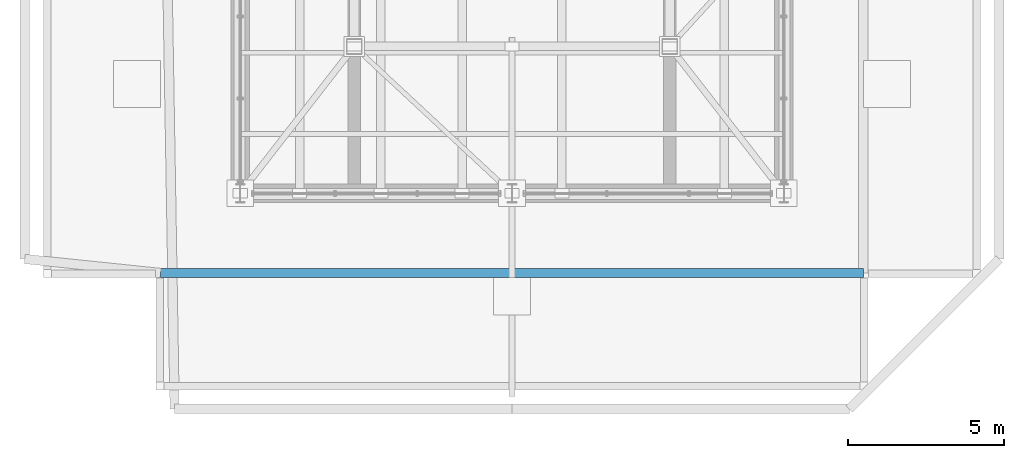
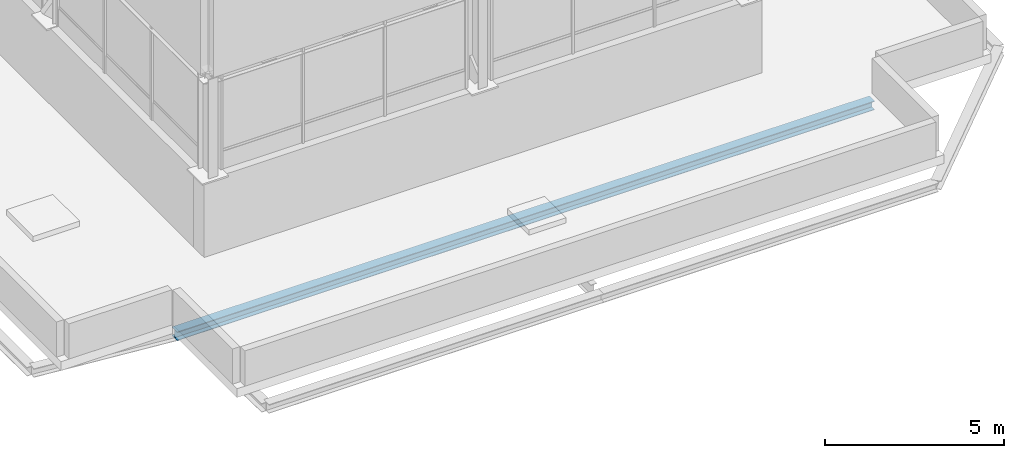
# One storey, part 3 of 22: 1 beam.
"""IFC4 building model written with IfcOpenShell, lengths in metres."""

from ifc_helpers import new_model, si_unit, direction, frame, origin, origin_2d, place, context, subcontext, project, spatial, i_section, extrude, material, material_profile, profile_set, type_object, element, save


model = new_model("IFC4")

# Units and contexts
model_context = context("Model", 3, precision=1e-05, world=origin(), true_north=direction((0.0, 1.0)))
body_context = subcontext(model_context, "Body", "Model", "MODEL_VIEW")
ifc_project = project(units=[si_unit("LENGTHUNIT", "METRE"), si_unit("AREAUNIT", "SQUARE_METRE"), si_unit("VOLUMEUNIT", "CUBIC_METRE"), si_unit("PLANEANGLEUNIT", "RADIAN"), si_unit("MASSUNIT", "GRAM", prefix="KILO")], contexts=[model_context])

# Site, building, storey
site_placement = place(None, origin())
site = spatial("IfcSite", under=ifc_project, at=site_placement, CompositionType="ELEMENT")
building_placement = place(site_placement, origin())
building = spatial("IfcBuilding", under=site, at=building_placement, Name="Belovzor Exchange Tower", CompositionType="ELEMENT")
storey_placement = place(building_placement, frame((0.0, 0.0, 378.60009765625)))
storey = spatial("IfcBuildingStorey", under=building, at=storey_placement, Name="RF", CompositionType="ELEMENT", Elevation=378.60009765625)

# Beam
ifc_material = material(Name="Steel S355", Category="steel")
ifc_material_profile = material_profile(ifc_material, i_section(OverallWidth=0.300048828125, OverallDepth=0.300048828125, WebThickness=0.010986328125, FlangeThickness=0.01904296875, at=origin_2d()))
ifc_profile_set = profile_set([ifc_material_profile], Name="Steel S355")
beam_type = type_object("IfcBeamType", Name="Crown Plant Primary Beam HEB 300", PredefinedType="BEAM", material=ifc_profile_set)
beam_placement = place(storey_placement, frame((17.550048828125, 17.550048828125, -0.4501953125), z_axis=(1.0, 0.0, 0.0), x_axis=(0.0, 1.0, 0.0)))
element("IfcBeam", 1, at=beam_placement, inside=storey, type_object=beam_type, Name="FG-CR Crown Plant Primary Beam HEB 300", PredefinedType="BEAM", context=body_context, shape_type="SweptSolid", body=[
    extrude(i_section(OverallWidth=0.300048828125, OverallDepth=0.300048828125, WebThickness=0.010986328125, FlangeThickness=0.01904296875, at=origin_2d()), origin(), (0.0, 0.0, 1.0), 22.5),
])

save(model, "model.ifc")
